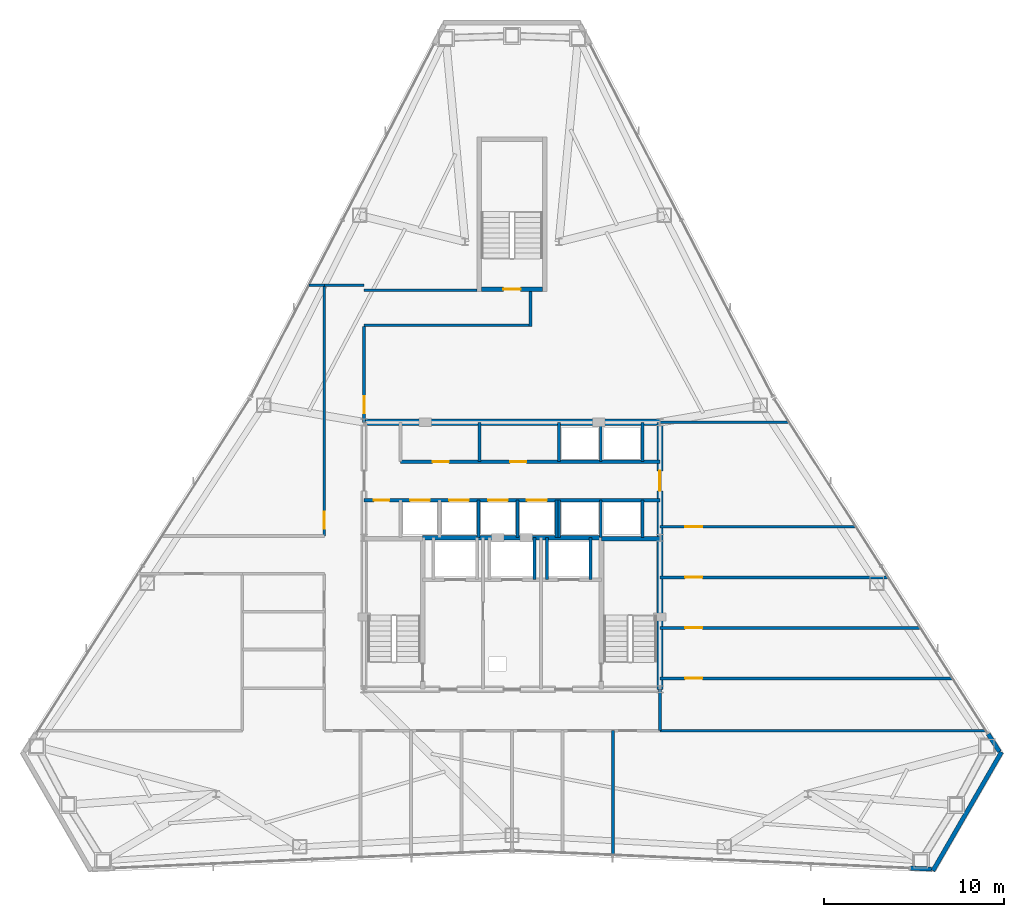
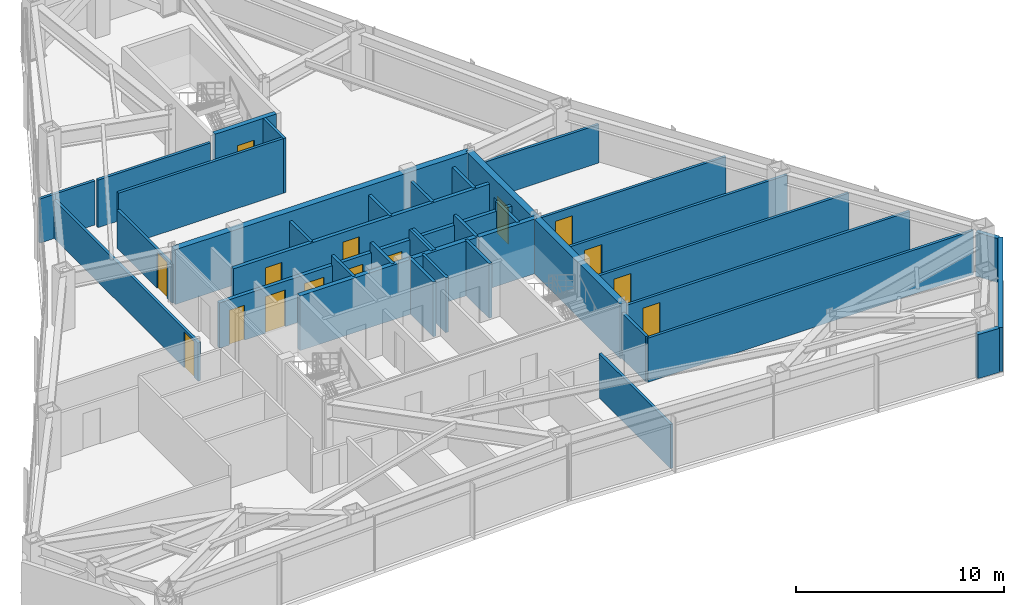
# One storey, part 11 of 13: 38 walls, 15 doors, 15 openings.
"""IFC4 building model written with IfcOpenShell, lengths in metres."""

from ifc_helpers import new_model, si_unit, direction, frame, frame_2d, origin, place, context, subcontext, project, spatial, rectangle, extrude, material, layer, layer_set, type_object, element, fill, save


model = new_model("IFC4")

# Units and contexts
model_context = context("Model", 3, precision=1e-05, world=origin(), true_north=direction((0.0, 1.0)))
body_context = subcontext(model_context, "Body", "Model", "MODEL_VIEW")
ifc_project = project(units=[si_unit("LENGTHUNIT", "METRE"), si_unit("AREAUNIT", "SQUARE_METRE"), si_unit("VOLUMEUNIT", "CUBIC_METRE"), si_unit("PLANEANGLEUNIT", "RADIAN"), si_unit("MASSUNIT", "GRAM", prefix="KILO")], contexts=[model_context])

# Site, building, storey
site_placement = place(None, origin())
site = spatial("IfcSite", under=ifc_project, at=site_placement, CompositionType="ELEMENT")
building_placement = place(site_placement, origin())
building = spatial("IfcBuilding", under=site, at=building_placement, Name="Varakhsha Concourse Tower", CompositionType="ELEMENT")
storey_placement = place(building_placement, frame((0.0, 0.0, 182.699951171875)))
storey = spatial("IfcBuildingStorey", under=building, at=storey_placement, Name="L52", CompositionType="ELEMENT", Elevation=182.699951171875)

# Wall
ifc_material_1 = material(Name="Concrete fc 65 MPa", Category="concrete")
ifc_layer_1 = layer(ifc_material_1, 0.35009765625, Name="WL-CORE-350")
ifc_layer_set_1 = layer_set([ifc_layer_1], Name="Concrete fc 65 MPa")
wall_type_1 = type_object("IfcWallType", Name="WL-CORE-350", PredefinedType="SHEAR", material=ifc_layer_set_1)
wall_1_placement = place(storey_placement, frame((31.800048828125, 31.199951171875, 0.0), z_axis=(0.0, 0.0, 1.0), x_axis=(1.0, 0.0, 0.0)))
element("IfcWall", 1, at=wall_1_placement, inside=storey, type_object=wall_type_1, Name="L52 Wall CWALL-N-L52", PredefinedType="SHEAR", context=body_context, shape_type="SweptSolid", body=[
    extrude(rectangle(XDim=16.39990234375, YDim=0.35009765625, at=frame_2d((8.199951171875, 0.0))), origin(), (0.0, 0.0, 1.0), 3.2099609375),
])

# Wall, opening, door
wall_2_placement = place(storey_placement, frame((48.199951171875, 16.39990234375, 0.0), z_axis=(0.0, 0.0, 1.0), x_axis=(0.0, 1.0, 0.0)))
wall_2 = element("IfcWall", 2, at=wall_2_placement, inside=storey, type_object=wall_type_1, Name="L52 Wall CWALL-E-L52", PredefinedType="SHEAR", context=body_context, shape_type="SweptSolid", body=[
    extrude(rectangle(XDim=14.800048828125, YDim=0.35009765625, at=frame_2d((7.39990234375, 0.0))), origin(), (0.0, 0.0, 1.0), 3.2099609375),
])
opening_1_placement = place(wall_2_placement, frame((11.0, 0.0, 0.0)))
opening_1 = element("IfcOpeningElement", 3, at=opening_1_placement, cuts=wall_2, Name="Opening DL-01", PredefinedType="OPENING", context=body_context, shape_type="SweptSolid", body=[
    extrude(rectangle(XDim=1.10009765625, YDim=2.14990234375, at=frame_2d((0.550048828125, 1.074951171875))), frame((0.0, 0.18505859375, 0.0), z_axis=(0.0, -1.0, 0.0), x_axis=(1.0, 0.0, 0.0)), (0.0, 0.0, 1.0), 0.3701171875),
])
ifc_material_2 = material(Name="Anodised Bronze Architectural Aluminium AA 6063-T6", Category="aluminium")
door_type_1 = type_object("IfcDoorType", Name="DR-LOB-1100", OperationType="NOTDEFINED", PredefinedType="DOOR", material=ifc_material_2)
door_1_placement = place(opening_1_placement, origin())
door_1 = element("IfcDoor", 4, at=door_1_placement, inside=storey, type_object=door_type_1, Name="L52 Lift Lobby East Concourse Door", OperationType="SINGLE_SWING_RIGHT", OverallHeight=2.14990234375, OverallWidth=1.10009765625, PredefinedType="DOOR", context=body_context, shape_type="SweptSolid", body=[
    extrude(rectangle(XDim=1.10009765625, YDim=2.14990234375, at=frame_2d((0.550048828125, 1.074951171875))), frame((0.0, 0.02490234375, 0.0), z_axis=(0.0, -1.0, 0.0), x_axis=(1.0, 0.0, 0.0)), (0.0, 0.0, 1.0), 0.050048828125),
])
fill(opening_1, door_1)

# Walls
ifc_material_3 = material(Name="Concrete fc 45 MPa", Category="concrete")
ifc_layer_2 = layer(ifc_material_3, 0.239990234375, Name="WL-EXT-CRN-240")
ifc_layer_set_2 = layer_set([ifc_layer_2], Name="Concrete fc 45 MPa")
wall_type_2 = type_object("IfcWallType", Name="WL-EXT-CRN-240", PredefinedType="SHEAR", material=ifc_layer_set_2)
wall_3_placement = place(storey_placement, frame((62.093994140625, 6.481201171875, 0.0), z_axis=(0.0, 0.0, 1.0), x_axis=(0.999025931447, -0.04412695657, 0.0)))
element("IfcWall", 5, at=wall_3_placement, inside=storey, type_object=wall_type_2, Name="L52 Wind-Corner Shoulder Wall F6", PredefinedType="SHEAR", context=body_context, shape_type="SweptSolid", body=[
    extrude(rectangle(XDim=1.16748046875, YDim=0.239990234375, at=frame_2d((0.583740234375, 0.0))), origin(), (0.0, 0.0, 1.0), 2.5830078125),
])
wall_4_placement = place(storey_placement, frame((67.134521484375, 12.921875, 0.0), z_axis=(0.0, 0.0, 1.0), x_axis=(-0.500005158081, -0.866022425744, 0.0)))
element("IfcWall", 6, at=wall_4_placement, inside=storey, type_object=wall_type_2, Name="L52 Chamfer Wind-Corner Insulated Wall F7", PredefinedType="SHEAR", context=body_context, shape_type="SweptSolid", body=[
    extrude(rectangle(XDim=7.60009765625, YDim=0.239990234375, at=frame_2d((3.800048828125, 0.0))), origin(), (0.0, 0.0, 1.0), 2.5830078125),
])
wall_5_placement = place(storey_placement, frame((67.019775390625, 12.941162109375, 0.0), z_axis=(0.0, 0.0, 1.0), x_axis=(-0.537890013748, 0.843015025435, 0.0)))
element("IfcWall", 7, at=wall_5_placement, inside=storey, type_object=wall_type_2, Name="L52 Wind-Corner Shoulder Wall F8", PredefinedType="SHEAR", context=body_context, shape_type="SweptSolid", body=[
    extrude(rectangle(XDim=1.16748046875, YDim=0.239990234375, at=frame_2d((0.583740234375, 0.0))), origin(), (0.0, 0.0, 1.0), 2.5830078125),
])
ifc_material_4 = material(Name="Fire-Rated Type X Gypsum Partition Assembly", Category="gypsum")
ifc_layer_3 = layer(ifc_material_4, 0.14990234375, Name="WL-PART-150")
ifc_layer_set_3 = layer_set([ifc_layer_3], Name="Fire-Rated Type X Gypsum Partition Assembly")
wall_type_3 = type_object("IfcWallType", Name="WL-PART-150", PredefinedType="PARTITIONING", material=ifc_layer_set_3)
wall_6_placement = place(storey_placement, frame((38.199951171875, 29.02001953125, 0.0), z_axis=(0.0, 0.0, 1.0), x_axis=(0.0, 1.0, 0.0)))
element("IfcWall", 8, at=wall_6_placement, inside=storey, type_object=wall_type_3, Name="L52 Wall P1F-D1-L52", PredefinedType="PARTITIONING", context=body_context, shape_type="SweptSolid", body=[
    extrude(rectangle(XDim=2.179931640625, YDim=0.14990234375, at=frame_2d((1.08984375, 0.0))), origin(), (0.0, 0.0, 1.0), 2.6650390625),
])
wall_7_placement = place(storey_placement, frame((48.199951171875, 14.10009765625, 0.0), z_axis=(0.0, 0.0, 1.0), x_axis=(0.0, 1.0, 0.0)))
element("IfcWall", 9, at=wall_7_placement, inside=storey, type_object=wall_type_3, Name="L52 Wall CRW-SE-L52", PredefinedType="PARTITIONING", context=body_context, shape_type="SweptSolid", body=[
    extrude(rectangle(XDim=2.2998046875, YDim=0.14990234375, at=frame_2d((1.14990234375, 0.0))), origin(), (0.0, 0.0, 1.0), 2.6650390625),
])

# Wall, opening, door
wall_8_placement = place(storey_placement, frame((29.60009765625, 24.89990234375, 0.0), z_axis=(0.0, 0.0, 1.0), x_axis=(0.0, 1.0, 0.0)))
wall_8 = element("IfcWall", 10, at=wall_8_placement, inside=storey, type_object=wall_type_3, Name="L52 Wall CRW-WN-L52", PredefinedType="PARTITIONING", context=body_context, shape_type="SweptSolid", body=[
    extrude(rectangle(XDim=13.900146484375, YDim=0.14990234375, at=frame_2d((6.9501953125, 0.0))), origin(), (0.0, 0.0, 1.0), 2.251953125),
])
opening_2_placement = place(wall_8_placement, frame((0.39990234375, 0.0, 0.0)))
opening_2 = element("IfcOpeningElement", 11, at=opening_2_placement, cuts=wall_8, Name="Opening DF-05", PredefinedType="OPENING", context=body_context, shape_type="SweptSolid", body=[
    extrude(rectangle(XDim=0.949951171875, YDim=2.10009765625, at=frame_2d((0.47509765625, 1.050048828125))), frame((0.0, 0.0849609375, 0.0), z_axis=(0.0, -1.0, 0.0), x_axis=(1.0, 0.0, 0.0)), (0.0, 0.0, 1.0), 0.169921875),
])
ifc_material_5 = material(Name="Hollow Galvanised Steel Fire Door Assembly", Category="steel")
door_type_2 = type_object("IfcDoorType", Name="DR-FD60-950", OperationType="NOTDEFINED", PredefinedType="DOOR", material=ifc_material_5)
door_2_placement = place(opening_2_placement, origin())
door_2 = element("IfcDoor", 12, at=door_2_placement, inside=storey, type_object=door_type_2, Name="L52 Client Briefing Studio L52-NW Door", OperationType="SINGLE_SWING_RIGHT", OverallHeight=2.10009765625, OverallWidth=0.949951171875, PredefinedType="DOOR", context=body_context, shape_type="SweptSolid", body=[
    extrude(rectangle(XDim=0.949951171875, YDim=2.10009765625, at=frame_2d((0.47509765625, 1.050048828125))), frame((0.0, 0.02490234375, 0.0), z_axis=(0.0, -1.0, 0.0), x_axis=(1.0, 0.0, 0.0)), (0.0, 0.0, 1.0), 0.050048828125),
])
fill(opening_2, door_2)

wall_9_placement = place(storey_placement, frame((31.800048828125, 31.199951171875, 0.0), z_axis=(0.0, 0.0, 1.0), x_axis=(0.0, 1.0, 0.0)))
wall_9 = element("IfcWall", 13, at=wall_9_placement, inside=storey, type_object=wall_type_3, Name="L52 Wall CRW-NE-L52", PredefinedType="PARTITIONING", context=body_context, shape_type="SweptSolid", body=[
    extrude(rectangle(XDim=5.300048828125, YDim=0.14990234375, at=frame_2d((2.64990234375, 0.0))), origin(), (0.0, 0.0, 1.0), 2.251953125),
])
opening_3_placement = place(wall_9_placement, frame((0.5, 0.0, 0.0)))
opening_3 = element("IfcOpeningElement", 14, at=opening_3_placement, cuts=wall_9, Name="Opening DF-05", PredefinedType="OPENING", context=body_context, shape_type="SweptSolid", body=[
    extrude(rectangle(XDim=0.949951171875, YDim=2.10009765625, at=frame_2d((0.47509765625, 1.050048828125))), frame((0.0, 0.0849609375, 0.0), z_axis=(0.0, -1.0, 0.0), x_axis=(1.0, 0.0, 0.0)), (0.0, 0.0, 1.0), 0.169921875),
])
door_3_placement = place(opening_3_placement, origin())
door_3 = element("IfcDoor", 15, at=door_3_placement, inside=storey, type_object=door_type_2, Name="L52 Mountain View Project Controls Workroom L52-NE1 Door", OperationType="SINGLE_SWING_RIGHT", OverallHeight=2.10009765625, OverallWidth=0.949951171875, PredefinedType="DOOR", context=body_context, shape_type="SweptSolid", body=[
    extrude(rectangle(XDim=0.949951171875, YDim=2.10009765625, at=frame_2d((0.47509765625, 1.050048828125))), frame((0.0, 0.02490234375, 0.0), z_axis=(0.0, -1.0, 0.0), x_axis=(1.0, 0.0, 0.0)), (0.0, 0.0, 1.0), 0.050048828125),
])
fill(opening_3, door_3)

# Walls
wall_10_placement = place(storey_placement, frame((29.60009765625, 38.800048828125, 0.0), z_axis=(0.0, 0.0, 1.0), x_axis=(1.0, 0.0, 0.0)))
element("IfcWall", 16, at=wall_10_placement, inside=storey, type_object=wall_type_3, Name="L52 Wall CRW-NCAP-L52", PredefinedType="PARTITIONING", context=body_context, shape_type="SweptSolid", body=[
    extrude(rectangle(XDim=2.199951171875, YDim=0.14990234375, at=frame_2d((1.10009765625, 0.0))), origin(), (0.0, 0.0, 1.0), 2.589111328125),
])
wall_11_placement = place(storey_placement, frame((45.60009765625, 7.21728515625, 0.0), z_axis=(0.0, 0.0, 1.0), x_axis=(0.0, 1.0, 0.0)))
element("IfcWall", 17, at=wall_11_placement, inside=storey, type_object=wall_type_3, Name="L52 Wall ODIV-S6-L52", PredefinedType="PARTITIONING", context=body_context, shape_type="SweptSolid", body=[
    extrude(rectangle(XDim=6.8828125, YDim=0.14990234375, at=frame_2d((3.44140625, 0.0))), origin(), (0.0, 0.0, 1.0), 2.589111328125),
])
wall_12_placement = place(storey_placement, frame((28.7470703125, 38.800048828125, 0.0), z_axis=(0.0, 0.0, 1.0), x_axis=(1.0, 0.0, 0.0)))
element("IfcWall", 18, at=wall_12_placement, inside=storey, type_object=wall_type_3, Name="L52 Wall ODIV-NWT-L52", PredefinedType="PARTITIONING", context=body_context, shape_type="SweptSolid", body=[
    extrude(rectangle(XDim=0.85302734375, YDim=0.14990234375, at=frame_2d((0.426513671875, 0.0))), origin(), (0.0, 0.0, 1.0), 2.589111328125),
])
wall_13_placement = place(storey_placement, frame((48.199951171875, 31.199951171875, 0.0), z_axis=(0.0, 0.0, 1.0), x_axis=(1.0, 0.0, 0.0)))
element("IfcWall", 19, at=wall_13_placement, inside=storey, type_object=wall_type_3, Name="L52 Wall ODIV-NEB-L52", PredefinedType="PARTITIONING", context=body_context, shape_type="SweptSolid", body=[
    extrude(rectangle(XDim=7.16455078125, YDim=0.14990234375, at=frame_2d((3.582275390625, 0.0))), origin(), (0.0, 0.0, 1.0), 2.251953125),
])
wall_14_placement = place(storey_placement, frame((48.199951171875, 14.10009765625, 0.0), z_axis=(0.0, 0.0, 1.0), x_axis=(1.0, 0.0, 0.0)))
element("IfcWall", 20, at=wall_14_placement, inside=storey, type_object=wall_type_3, Name="L52 Wall ODIV-EB0-L52", PredefinedType="PARTITIONING", context=body_context, shape_type="SweptSolid", body=[
    extrude(rectangle(XDim=18.074462890625, YDim=0.14990234375, at=frame_2d((9.037109375, 0.0))), origin(), (0.0, 0.0, 1.0), 2.589111328125),
])

# Wall, opening, door
wall_15_placement = place(storey_placement, frame((48.199951171875, 17.0, 0.0), z_axis=(0.0, 0.0, 1.0), x_axis=(1.0, 0.0, 0.0)))
wall_15 = element("IfcWall", 21, at=wall_15_placement, inside=storey, type_object=wall_type_3, Name="L52 Wall ODIV-E1-L52", PredefinedType="PARTITIONING", context=body_context, shape_type="SweptSolid", body=[
    extrude(rectangle(XDim=16.224365234375, YDim=0.14990234375, at=frame_2d((8.1123046875, 0.0))), origin(), (0.0, 0.0, 1.0), 2.589111328125),
])
opening_4_placement = place(wall_15_placement, frame((1.39990234375, 0.0, 0.0)))
opening_4 = element("IfcOpeningElement", 22, at=opening_4_placement, cuts=wall_15, Name="Opening DF-05", PredefinedType="OPENING", context=body_context, shape_type="SweptSolid", body=[
    extrude(rectangle(XDim=0.949951171875, YDim=2.10009765625, at=frame_2d((0.47509765625, 1.050048828125))), frame((0.0, 0.0849609375, 0.0), z_axis=(0.0, -1.0, 0.0), x_axis=(1.0, 0.0, 0.0)), (0.0, 0.0, 1.0), 0.169921875),
])
door_4_placement = place(opening_4_placement, origin())
door_4 = element("IfcDoor", 23, at=door_4_placement, inside=storey, type_object=door_type_2, Name="L52 East Suite Interconnect Door 1", OperationType="SINGLE_SWING_LEFT", OverallHeight=2.10009765625, OverallWidth=0.949951171875, PredefinedType="DOOR", context=body_context, shape_type="SweptSolid", body=[
    extrude(rectangle(XDim=0.949951171875, YDim=2.10009765625, at=frame_2d((0.47509765625, 1.050048828125))), frame((0.0, 0.02490234375, 0.0), z_axis=(0.0, -1.0, 0.0), x_axis=(1.0, 0.0, 0.0)), (0.0, 0.0, 1.0), 0.050048828125),
])
fill(opening_4, door_4)

wall_16_placement = place(storey_placement, frame((48.199951171875, 19.800048828125, 0.0), z_axis=(0.0, 0.0, 1.0), x_axis=(1.0, 0.0, 0.0)))
wall_16 = element("IfcWall", 24, at=wall_16_placement, inside=storey, type_object=wall_type_3, Name="L52 Wall ODIV-E2-L52", PredefinedType="PARTITIONING", context=body_context, shape_type="SweptSolid", body=[
    extrude(rectangle(XDim=14.43798828125, YDim=0.14990234375, at=frame_2d((7.218994140625, 0.0))), origin(), (0.0, 0.0, 1.0), 2.589111328125),
])
opening_5_placement = place(wall_16_placement, frame((1.39990234375, 0.0, 0.0)))
opening_5 = element("IfcOpeningElement", 25, at=opening_5_placement, cuts=wall_16, Name="Opening DF-05", PredefinedType="OPENING", context=body_context, shape_type="SweptSolid", body=[
    extrude(rectangle(XDim=0.949951171875, YDim=2.10009765625, at=frame_2d((0.47509765625, 1.050048828125))), frame((0.0, 0.0849609375, 0.0), z_axis=(0.0, -1.0, 0.0), x_axis=(1.0, 0.0, 0.0)), (0.0, 0.0, 1.0), 0.169921875),
])
door_5_placement = place(opening_5_placement, origin())
door_5 = element("IfcDoor", 26, at=door_5_placement, inside=storey, type_object=door_type_2, Name="L52 East Suite Interconnect Door 2", OperationType="SINGLE_SWING_RIGHT", OverallHeight=2.10009765625, OverallWidth=0.949951171875, PredefinedType="DOOR", context=body_context, shape_type="SweptSolid", body=[
    extrude(rectangle(XDim=0.949951171875, YDim=2.10009765625, at=frame_2d((0.47509765625, 1.050048828125))), frame((0.0, 0.02490234375, 0.0), z_axis=(0.0, -1.0, 0.0), x_axis=(1.0, 0.0, 0.0)), (0.0, 0.0, 1.0), 0.050048828125),
])
fill(opening_5, door_5)

wall_17_placement = place(storey_placement, frame((48.199951171875, 22.60009765625, 0.0), z_axis=(0.0, 0.0, 1.0), x_axis=(1.0, 0.0, 0.0)))
wall_17 = element("IfcWall", 27, at=wall_17_placement, inside=storey, type_object=wall_type_3, Name="L52 Wall ODIV-E3-L52", PredefinedType="PARTITIONING", context=body_context, shape_type="SweptSolid", body=[
    extrude(rectangle(XDim=12.651611328125, YDim=0.14990234375, at=frame_2d((6.32568359375, 0.0))), origin(), (0.0, 0.0, 1.0), 2.589111328125),
])
opening_6_placement = place(wall_17_placement, frame((1.39990234375, 0.0, 0.0)))
opening_6 = element("IfcOpeningElement", 28, at=opening_6_placement, cuts=wall_17, Name="Opening DF-05", PredefinedType="OPENING", context=body_context, shape_type="SweptSolid", body=[
    extrude(rectangle(XDim=0.949951171875, YDim=2.10009765625, at=frame_2d((0.47509765625, 1.050048828125))), frame((0.0, 0.0849609375, 0.0), z_axis=(0.0, -1.0, 0.0), x_axis=(1.0, 0.0, 0.0)), (0.0, 0.0, 1.0), 0.169921875),
])
door_6_placement = place(opening_6_placement, origin())
door_6 = element("IfcDoor", 29, at=door_6_placement, inside=storey, type_object=door_type_2, Name="L52 East Suite Interconnect Door 3", OperationType="SINGLE_SWING_LEFT", OverallHeight=2.10009765625, OverallWidth=0.949951171875, PredefinedType="DOOR", context=body_context, shape_type="SweptSolid", body=[
    extrude(rectangle(XDim=0.949951171875, YDim=2.10009765625, at=frame_2d((0.47509765625, 1.050048828125))), frame((0.0, 0.02490234375, 0.0), z_axis=(0.0, -1.0, 0.0), x_axis=(1.0, 0.0, 0.0)), (0.0, 0.0, 1.0), 0.050048828125),
])
fill(opening_6, door_6)

wall_18_placement = place(storey_placement, frame((48.199951171875, 25.39990234375, 0.0), z_axis=(0.0, 0.0, 1.0), x_axis=(1.0, 0.0, 0.0)))
wall_18 = element("IfcWall", 30, at=wall_18_placement, inside=storey, type_object=wall_type_3, Name="L52 Wall ODIV-E4-L52", PredefinedType="PARTITIONING", context=body_context, shape_type="SweptSolid", body=[
    extrude(rectangle(XDim=10.864990234375, YDim=0.14990234375, at=frame_2d((5.4326171875, 0.0))), origin(), (0.0, 0.0, 1.0), 2.589111328125),
])
opening_7_placement = place(wall_18_placement, frame((1.39990234375, 0.0, 0.0)))
opening_7 = element("IfcOpeningElement", 31, at=opening_7_placement, cuts=wall_18, Name="Opening DF-05", PredefinedType="OPENING", context=body_context, shape_type="SweptSolid", body=[
    extrude(rectangle(XDim=0.949951171875, YDim=2.10009765625, at=frame_2d((0.47509765625, 1.050048828125))), frame((0.0, 0.0849609375, 0.0), z_axis=(0.0, -1.0, 0.0), x_axis=(1.0, 0.0, 0.0)), (0.0, 0.0, 1.0), 0.169921875),
])
door_7_placement = place(opening_7_placement, origin())
door_7 = element("IfcDoor", 32, at=door_7_placement, inside=storey, type_object=door_type_2, Name="L52 East Suite Interconnect Door 4", OperationType="SINGLE_SWING_RIGHT", OverallHeight=2.10009765625, OverallWidth=0.949951171875, PredefinedType="DOOR", context=body_context, shape_type="SweptSolid", body=[
    extrude(rectangle(XDim=0.949951171875, YDim=2.10009765625, at=frame_2d((0.47509765625, 1.050048828125))), frame((0.0, 0.02490234375, 0.0), z_axis=(0.0, -1.0, 0.0), x_axis=(1.0, 0.0, 0.0)), (0.0, 0.0, 1.0), 0.050048828125),
])
fill(opening_7, door_7)

# Walls
wall_19_placement = place(storey_placement, frame((31.800048828125, 36.574951171875, 0.0), z_axis=(0.0, 0.0, 1.0), x_axis=(1.0, 0.0, 0.0)))
element("IfcWall", 33, at=wall_19_placement, inside=storey, type_object=wall_type_3, Name="L52 Wall STLK-S-L52", PredefinedType="PARTITIONING", context=body_context, shape_type="SweptSolid", body=[
    extrude(rectangle(XDim=9.14990234375, YDim=0.14990234375, at=frame_2d((4.574951171875, 0.0))), origin(), (0.0, 0.0, 1.0), 3.2099609375),
])
wall_20_placement = place(storey_placement, frame((31.800048828125, 38.52490234375, 0.0), z_axis=(0.0, 0.0, 1.0), x_axis=(1.0, 0.0, 0.0)))
element("IfcWall", 34, at=wall_20_placement, inside=storey, type_object=wall_type_3, Name="L52 Wall STLK-N-L52", PredefinedType="PARTITIONING", context=body_context, shape_type="SweptSolid", body=[
    extrude(rectangle(XDim=6.25, YDim=0.14990234375, at=frame_2d((3.125, 0.0))), origin(), (0.0, 0.0, 1.0), 2.79296875),
])
wall_21_placement = place(storey_placement, frame((41.02490234375, 36.5, 0.0), z_axis=(0.0, 0.0, 1.0), x_axis=(0.0, 1.0, 0.0)))
element("IfcWall", 35, at=wall_21_placement, inside=storey, type_object=wall_type_3, Name="L52 Wall STLK-E-L52", PredefinedType="PARTITIONING", context=body_context, shape_type="SweptSolid", body=[
    extrude(rectangle(XDim=1.949951171875, YDim=0.14990234375, at=frame_2d((0.97509765625, 0.0))), origin(), (0.0, 0.0, 1.0), 3.2099609375),
])
ifc_layer_4 = layer(ifc_material_4, 0.199951171875, Name="WL-SHAFT-220")
ifc_layer_set_4 = layer_set([ifc_layer_4], Name="Fire-Rated Type X Gypsum Partition Assembly")
wall_type_4 = type_object("IfcWallType", Name="WL-SHAFT-220", PredefinedType="SOLIDWALL", material=ifc_layer_set_4)
for number, where, z_axis, x_axis, name in (
    (36, (41.949951171875, 22.47998046875, 0.0), (0.0, 0.0, 1.0), (0.0, 1.0, 0.0), "L52 Wall SHW-FFL-2-W-L52"),
    (37, (44.35009765625, 22.47998046875, 0.0), (0.0, 0.0, 1.0), (0.0, 1.0, 0.0), "L52 Wall SHW-FFL-2-E-L52"),
    (38, (41.25, 22.47998046875, 0.0), (0.0, 0.0, 1.0), (0.0, 1.0, 0.0), "L52 Wall SHW-SVL-1-E-L52"),
):
    element("IfcWall", number, at=place(storey_placement, frame(where, z_axis=z_axis, x_axis=x_axis)), inside=storey, type_object=wall_type_4, Name=name, PredefinedType="SOLIDWALL", context=body_context, shape_type="SweptSolid", body=[
        extrude(rectangle(XDim=2.320068359375, YDim=0.159912109375, at=frame_2d((1.16015625, 0.0))), origin(), (0.0, 0.0, 1.0), 3.2099609375),
    ])

# Wall, openings, doors
wall_22_placement = place(storey_placement, frame((33.820068359375, 29.02001953125, 0.0), z_axis=(0.0, 0.0, 1.0), x_axis=(1.0, 0.0, 0.0)))
wall_22 = element("IfcWall", 39, at=wall_22_placement, inside=storey, type_object=wall_type_4, Name="L52 Wall PLW-N-L52", PredefinedType="SOLIDWALL", context=body_context, shape_type="SweptSolid", body=[
    extrude(rectangle(XDim=14.3798828125, YDim=0.199951171875, at=frame_2d((7.18994140625, 0.0))), origin(), (0.0, 0.0, 1.0), 2.6650390625),
])
opening_8_placement = place(wall_22_placement, frame((1.780029296875, 0.0, 0.0)))
opening_8 = element("IfcOpeningElement", 40, at=opening_8_placement, cuts=wall_22, Name="Opening DF-06", PredefinedType="OPENING", context=body_context, shape_type="SweptSolid", body=[
    extrude(rectangle(XDim=0.89990234375, YDim=2.10009765625, at=frame_2d((0.449951171875, 1.050048828125))), frame((0.0, 0.10986328125, 0.0), z_axis=(0.0, -1.0, 0.0), x_axis=(1.0, 0.0, 0.0)), (0.0, 0.0, 1.0), 0.219970703125),
])
opening_9_placement = place(wall_22_placement, frame((6.070068359375, 0.0, 0.0)))
opening_9 = element("IfcOpeningElement", 41, at=opening_9_placement, cuts=wall_22, Name="Opening DF-06", PredefinedType="OPENING", context=body_context, shape_type="SweptSolid", body=[
    extrude(rectangle(XDim=0.89990234375, YDim=2.10009765625, at=frame_2d((0.449951171875, 1.050048828125))), frame((0.0, 0.10986328125, 0.0), z_axis=(0.0, -1.0, 0.0), x_axis=(1.0, 0.0, 0.0)), (0.0, 0.0, 1.0), 0.219970703125),
])
door_type_3 = type_object("IfcDoorType", Name="DR-FD60-900", OperationType="NOTDEFINED", PredefinedType="DOOR", material=ifc_material_5)
door_8_placement = place(opening_8_placement, origin())
door_8 = element("IfcDoor", 42, at=door_8_placement, inside=storey, type_object=door_type_3, Name="L52 Tenant Archive and IT Server Room Door", OperationType="SINGLE_SWING_LEFT", OverallHeight=2.10009765625, OverallWidth=0.89990234375, PredefinedType="DOOR", context=body_context, shape_type="SweptSolid", body=[
    extrude(rectangle(XDim=0.89990234375, YDim=2.10009765625, at=frame_2d((0.449951171875, 1.050048828125))), frame((0.0, 0.02490234375, 0.0), z_axis=(0.0, -1.0, 0.0), x_axis=(1.0, 0.0, 0.0)), (0.0, 0.0, 1.0), 0.050048828125),
])
fill(opening_8, door_8)
door_9_placement = place(opening_9_placement, origin())
door_9 = element("IfcDoor", 43, at=door_9_placement, inside=storey, type_object=door_type_3, Name="L52 Core Facility Closet N1 Door", OperationType="SINGLE_SWING_RIGHT", OverallHeight=2.10009765625, OverallWidth=0.89990234375, PredefinedType="DOOR", context=body_context, shape_type="SweptSolid", body=[
    extrude(rectangle(XDim=0.89990234375, YDim=2.10009765625, at=frame_2d((0.449951171875, 1.050048828125))), frame((0.0, 0.02490234375, 0.0), z_axis=(0.0, -1.0, 0.0), x_axis=(1.0, 0.0, 0.0)), (0.0, 0.0, 1.0), 0.050048828125),
])
fill(opening_9, door_9)

wall_23_placement = place(storey_placement, frame((31.800048828125, 26.8798828125, 0.0), z_axis=(0.0, 0.0, 1.0), x_axis=(1.0, 0.0, 0.0)))
wall_23 = element("IfcWall", 44, at=wall_23_placement, inside=storey, type_object=wall_type_4, Name="L52 Wall PLW-S-L52", PredefinedType="SOLIDWALL", context=body_context, shape_type="SweptSolid", body=[
    extrude(rectangle(XDim=16.39990234375, YDim=0.199951171875, at=frame_2d((8.199951171875, 0.0))), origin(), (0.0, 0.0, 1.0), 2.6650390625),
])
opening_10_placement = place(wall_23_placement, frame((0.550048828125, 0.0, 0.0)))
opening_10 = element("IfcOpeningElement", 45, at=opening_10_placement, cuts=wall_23, Name="Opening DF-07", PredefinedType="OPENING", context=body_context, shape_type="SweptSolid", body=[
    extrude(rectangle(XDim=0.85009765625, YDim=2.050048828125, at=frame_2d((0.425048828125, 1.02490234375))), frame((0.0, 0.10986328125, 0.0), z_axis=(0.0, -1.0, 0.0), x_axis=(1.0, 0.0, 0.0)), (0.0, 0.0, 1.0), 0.219970703125),
])
opening_11_placement = place(wall_23_placement, frame((2.550048828125, 0.0, 0.0)))
opening_11 = element("IfcOpeningElement", 46, at=opening_11_placement, cuts=wall_23, Name="Opening LD-LF-P05", PredefinedType="OPENING", context=body_context, shape_type="SweptSolid", body=[
    extrude(rectangle(XDim=1.10009765625, YDim=2.14990234375, at=frame_2d((0.550048828125, 1.074951171875))), frame((0.0, 0.10986328125, 0.0), z_axis=(0.0, -1.0, 0.0), x_axis=(1.0, 0.0, 0.0)), (0.0, 0.0, 1.0), 0.219970703125),
])
opening_12_placement = place(wall_23_placement, frame((4.7099609375, 0.0, 0.0)))
opening_12 = element("IfcOpeningElement", 47, at=opening_12_placement, cuts=wall_23, Name="Opening LD-LF-P06", PredefinedType="OPENING", context=body_context, shape_type="SweptSolid", body=[
    extrude(rectangle(XDim=1.10009765625, YDim=2.14990234375, at=frame_2d((0.550048828125, 1.074951171875))), frame((0.0, 0.10986328125, 0.0), z_axis=(0.0, -1.0, 0.0), x_axis=(1.0, 0.0, 0.0)), (0.0, 0.0, 1.0), 0.219970703125),
])
opening_13_placement = place(wall_23_placement, frame((6.8701171875, 0.0, 0.0)))
opening_13 = element("IfcOpeningElement", 48, at=opening_13_placement, cuts=wall_23, Name="Opening LD-LF-P07", PredefinedType="OPENING", context=body_context, shape_type="SweptSolid", body=[
    extrude(rectangle(XDim=1.10009765625, YDim=2.14990234375, at=frame_2d((0.550048828125, 1.074951171875))), frame((0.0, 0.10986328125, 0.0), z_axis=(0.0, -1.0, 0.0), x_axis=(1.0, 0.0, 0.0)), (0.0, 0.0, 1.0), 0.219970703125),
])
opening_14_placement = place(wall_23_placement, frame((9.030029296875, 0.0, 0.0)))
opening_14 = element("IfcOpeningElement", 49, at=opening_14_placement, cuts=wall_23, Name="Opening LD-LF-P08", PredefinedType="OPENING", context=body_context, shape_type="SweptSolid", body=[
    extrude(rectangle(XDim=1.10009765625, YDim=2.14990234375, at=frame_2d((0.550048828125, 1.074951171875))), frame((0.0, 0.10986328125, 0.0), z_axis=(0.0, -1.0, 0.0), x_axis=(1.0, 0.0, 0.0)), (0.0, 0.0, 1.0), 0.219970703125),
])
door_type_4 = type_object("IfcDoorType", Name="DR-FD60-850", OperationType="NOTDEFINED", PredefinedType="DOOR", material=ifc_material_5)
door_10_placement = place(opening_10_placement, origin())
door_10 = element("IfcDoor", 50, at=door_10_placement, inside=storey, type_object=door_type_4, Name="L52 Core Telecoms Closet Door", OperationType="SINGLE_SWING_RIGHT", OverallHeight=2.050048828125, OverallWidth=0.85009765625, PredefinedType="DOOR", context=body_context, shape_type="SweptSolid", body=[
    extrude(rectangle(XDim=0.85009765625, YDim=2.050048828125, at=frame_2d((0.425048828125, 1.02490234375))), frame((0.0, 0.02490234375, 0.0), z_axis=(0.0, -1.0, 0.0), x_axis=(1.0, 0.0, 0.0)), (0.0, 0.0, 1.0), 0.050048828125),
])
fill(opening_10, door_10)
ifc_material_6 = material(Name="Brushed Austenitic Stainless Steel AISI 316", Category="steel")
door_type_5 = type_object("IfcDoorType", Name="DR-LD-1100", OperationType="DOUBLE_DOOR_SLIDING", PredefinedType="DOOR", material=ifc_material_6)
door_11_placement = place(opening_11_placement, origin())
door_11 = element("IfcDoor", 51, at=door_11_placement, inside=storey, type_object=door_type_5, Name="Lift Landing Door LF-P05 L52", OperationType="DOUBLE_DOOR_SLIDING", OverallHeight=2.14990234375, OverallWidth=1.10009765625, PredefinedType="DOOR", context=body_context, shape_type="SweptSolid", body=[
    extrude(rectangle(XDim=1.10009765625, YDim=2.14990234375, at=frame_2d((0.550048828125, 1.074951171875))), frame((0.0, 0.02490234375, 0.0), z_axis=(0.0, -1.0, 0.0), x_axis=(1.0, 0.0, 0.0)), (0.0, 0.0, 1.0), 0.050048828125),
])
fill(opening_11, door_11)
door_12_placement = place(opening_12_placement, origin())
door_12 = element("IfcDoor", 52, at=door_12_placement, inside=storey, type_object=door_type_5, Name="Lift Landing Door LF-P06 L52", OperationType="DOUBLE_DOOR_SLIDING", OverallHeight=2.14990234375, OverallWidth=1.10009765625, PredefinedType="DOOR", context=body_context, shape_type="SweptSolid", body=[
    extrude(rectangle(XDim=1.10009765625, YDim=2.14990234375, at=frame_2d((0.550048828125, 1.074951171875))), frame((0.0, 0.02490234375, 0.0), z_axis=(0.0, -1.0, 0.0), x_axis=(1.0, 0.0, 0.0)), (0.0, 0.0, 1.0), 0.050048828125),
])
fill(opening_12, door_12)
door_13_placement = place(opening_13_placement, origin())
door_13 = element("IfcDoor", 53, at=door_13_placement, inside=storey, type_object=door_type_5, Name="Lift Landing Door LF-P07 L52", OperationType="DOUBLE_DOOR_SLIDING", OverallHeight=2.14990234375, OverallWidth=1.10009765625, PredefinedType="DOOR", context=body_context, shape_type="SweptSolid", body=[
    extrude(rectangle(XDim=1.10009765625, YDim=2.14990234375, at=frame_2d((0.550048828125, 1.074951171875))), frame((0.0, 0.02490234375, 0.0), z_axis=(0.0, -1.0, 0.0), x_axis=(1.0, 0.0, 0.0)), (0.0, 0.0, 1.0), 0.050048828125),
])
fill(opening_13, door_13)
door_14_placement = place(opening_14_placement, origin())
door_14 = element("IfcDoor", 54, at=door_14_placement, inside=storey, type_object=door_type_5, Name="Lift Landing Door LF-P08 L52", OperationType="DOUBLE_DOOR_SLIDING", OverallHeight=2.14990234375, OverallWidth=1.10009765625, PredefinedType="DOOR", context=body_context, shape_type="SweptSolid", body=[
    extrude(rectangle(XDim=1.10009765625, YDim=2.14990234375, at=frame_2d((0.550048828125, 1.074951171875))), frame((0.0, 0.02490234375, 0.0), z_axis=(0.0, -1.0, 0.0), x_axis=(1.0, 0.0, 0.0)), (0.0, 0.0, 1.0), 0.050048828125),
])
fill(opening_14, door_14)

# Walls
for number, where, z_axis, x_axis, name in (
    (55, (38.139892578125, 24.800048828125, 0.0), (0.0, 0.0, 1.0), (0.0, 1.0, 0.0), "L52 Wall SHW-LF-P06-E-L52"),
    (56, (40.300048828125, 24.800048828125, 0.0), (0.0, 0.0, 1.0), (0.0, 1.0, 0.0), "L52 Wall SHW-LF-P07-E-L52"),
    (57, (42.4599609375, 24.800048828125, 0.0), (0.0, 0.0, 1.0), (0.0, 1.0, 0.0), "L52 Wall SHW-LF-P08-E-L52"),
):
    element("IfcWall", number, at=place(storey_placement, frame(where, z_axis=z_axis, x_axis=x_axis)), inside=storey, type_object=wall_type_4, Name=name, PredefinedType="SOLIDWALL", context=body_context, shape_type="SweptSolid", body=[
        extrude(rectangle(XDim=2.079833984375, YDim=0.159912109375, at=frame_2d((1.0400390625, 0.0))), origin(), (0.0, 0.0, 1.0), 3.2099609375),
    ])
for number, where, z_axis, x_axis, name in (
    (58, (42.60009765625, 29.02001953125, 0.0), (0.0, 0.0, 1.0), (0.0, 1.0, 0.0), "L52 Wall SHW-LF-P09-W-L52"),
    (59, (44.919921875, 29.02001953125, 0.0), (0.0, 0.0, 1.0), (0.0, 1.0, 0.0), "L52 Wall SHW-LF-P09-E-L52"),
    (60, (47.239990234375, 29.02001953125, 0.0), (0.0, 0.0, 1.0), (0.0, 1.0, 0.0), "L52 Wall SHW-LF-P10-E-L52"),
):
    element("IfcWall", number, at=place(storey_placement, frame(where, z_axis=z_axis, x_axis=x_axis)), inside=storey, type_object=wall_type_4, Name=name, PredefinedType="SOLIDWALL", context=body_context, shape_type="SweptSolid", body=[
        extrude(rectangle(XDim=2.179931640625, YDim=0.159912109375, at=frame_2d((1.08984375, 0.0))), origin(), (0.0, 0.0, 1.0), 2.6650390625),
    ])
for number, where, z_axis, x_axis, name in (
    (61, (42.60009765625, 24.800048828125, 0.0), (0.0, 0.0, 1.0), (0.0, 1.0, 0.0), "L52 Wall SHW-LF-P11-W-L52"),
    (62, (44.919921875, 24.800048828125, 0.0), (0.0, 0.0, 1.0), (0.0, 1.0, 0.0), "L52 Wall SHW-LF-P11-E-L52"),
    (63, (47.239990234375, 24.800048828125, 0.0), (0.0, 0.0, 1.0), (0.0, 1.0, 0.0), "L52 Wall SHW-LF-P12-E-L52"),
):
    element("IfcWall", number, at=place(storey_placement, frame(where, z_axis=z_axis, x_axis=x_axis)), inside=storey, type_object=wall_type_4, Name=name, PredefinedType="SOLIDWALL", context=body_context, shape_type="SweptSolid", body=[
        extrude(rectangle(XDim=2.079833984375, YDim=0.159912109375, at=frame_2d((1.0400390625, 0.0))), origin(), (0.0, 0.0, 1.0), 3.2099609375),
    ])
ifc_layer_5 = layer(ifc_material_3, 0.25, Name="WL-STAIR-250")
ifc_layer_set_5 = layer_set([ifc_layer_5], Name="Concrete fc 45 MPa")
wall_type_5 = type_object("IfcWallType", Name="WL-STAIR-250", PredefinedType="SHEAR", material=ifc_layer_set_5)
wall_24_placement = place(storey_placement, frame((44.955078125, 24.7548828125, 0.0), z_axis=(0.0, 0.0, 1.0), x_axis=(1.0, 0.0, 0.0)))
element("IfcWall", 64, at=wall_24_placement, inside=storey, type_object=wall_type_5, Name="L52 Wall SWALL-ST2-N-L52", PredefinedType="SHEAR", context=body_context, shape_type="SweptSolid", body=[
    extrude(rectangle(XDim=3.244873046875, YDim=0.25, at=frame_2d((1.62255859375, 0.0))), origin(), (0.0, 0.0, 1.0), 3.2099609375),
])
wall_25_placement = place(storey_placement, frame((35.044921875, 24.800048828125, 0.0), z_axis=(0.0, 0.0, 1.0), x_axis=(1.0, 0.0, 0.0)))
element("IfcWall", 65, at=wall_25_placement, inside=storey, type_object=wall_type_5, Name="L52 Wall SWALL-MID-H-L52", PredefinedType="SHEAR", context=body_context, shape_type="SweptSolid", body=[
    extrude(rectangle(XDim=9.91015625, YDim=0.25, at=frame_2d((4.955078125, 0.0))), origin(), (0.0, 0.0, 1.0), 3.2099609375),
])

# Wall, opening, door
wall_26_placement = place(storey_placement, frame((38.300048828125, 38.574951171875, 0.0), z_axis=(0.0, 0.0, 1.0), x_axis=(1.0, 0.0, 0.0)))
wall_26 = element("IfcWall", 66, at=wall_26_placement, inside=storey, type_object=wall_type_5, Name="L52 Wall SWALL-ST5-S-L52", PredefinedType="SHEAR", context=body_context, shape_type="SweptSolid", body=[
    extrude(rectangle(XDim=3.39990234375, YDim=0.25, at=frame_2d((1.699951171875, 0.0))), origin(), (0.0, 0.0, 1.0), 3.2099609375),
])
opening_15_placement = place(wall_26_placement, frame((1.22509765625, 0.0, 0.0)))
opening_15 = element("IfcOpeningElement", 67, at=opening_15_placement, cuts=wall_26, Name="Opening DF-03", PredefinedType="OPENING", context=body_context, shape_type="SweptSolid", body=[
    extrude(rectangle(XDim=0.949951171875, YDim=2.10009765625, at=frame_2d((0.47509765625, 1.050048828125))), frame((0.0, 0.135009765625, 0.0), z_axis=(0.0, -1.0, 0.0), x_axis=(1.0, 0.0, 0.0)), (0.0, 0.0, 1.0), 0.27001953125),
])
door_type_6 = type_object("IfcDoorType", Name="DR-FD90-950", OperationType="NOTDEFINED", PredefinedType="DOOR", material=ifc_material_5)
door_15_placement = place(opening_15_placement, origin())
door_15 = element("IfcDoor", 68, at=door_15_placement, inside=storey, type_object=door_type_6, Name="L52 Stair ST5 Fire Door", OperationType="SINGLE_SWING_RIGHT", OverallHeight=2.10009765625, OverallWidth=0.949951171875, PredefinedType="DOOR", context=body_context, shape_type="SweptSolid", body=[
    extrude(rectangle(XDim=0.949951171875, YDim=2.10009765625, at=frame_2d((0.47509765625, 1.050048828125))), frame((0.0, 0.02490234375, 0.0), z_axis=(0.0, -1.0, 0.0), x_axis=(1.0, 0.0, 0.0)), (0.0, 0.0, 1.0), 0.050048828125),
])
fill(opening_15, door_15)

save(model, "model.ifc")
